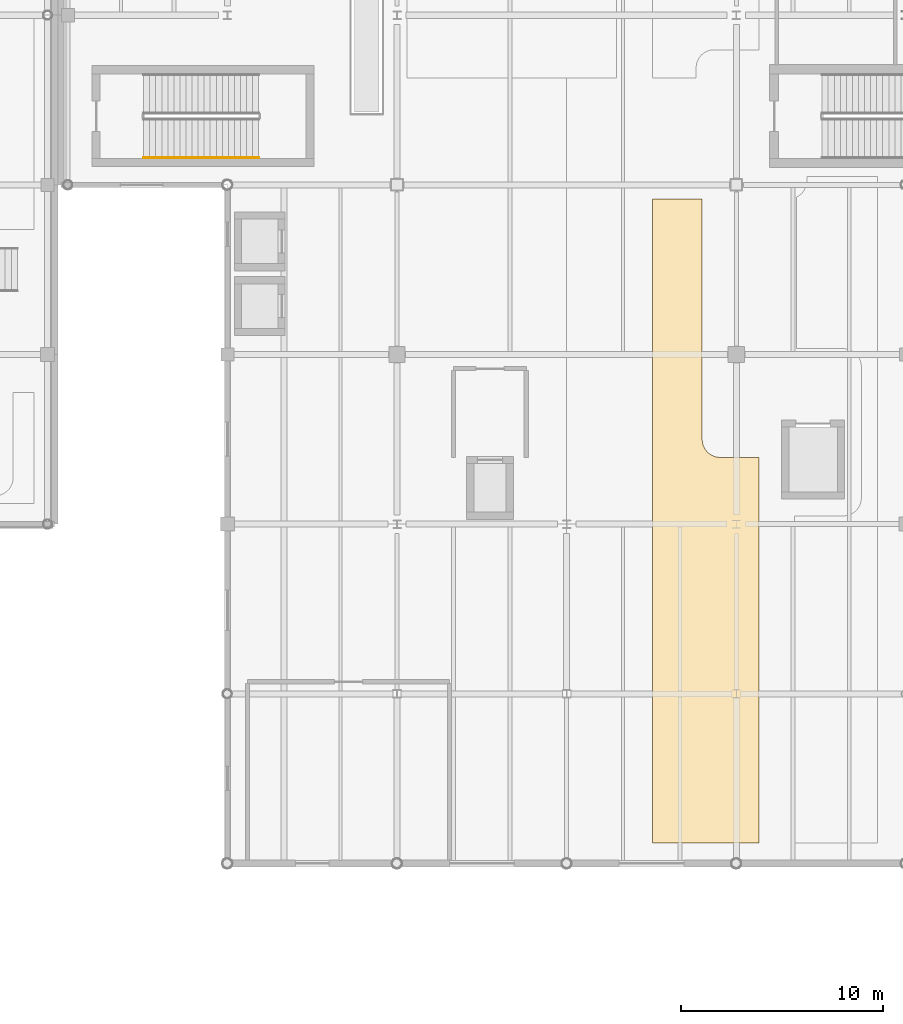
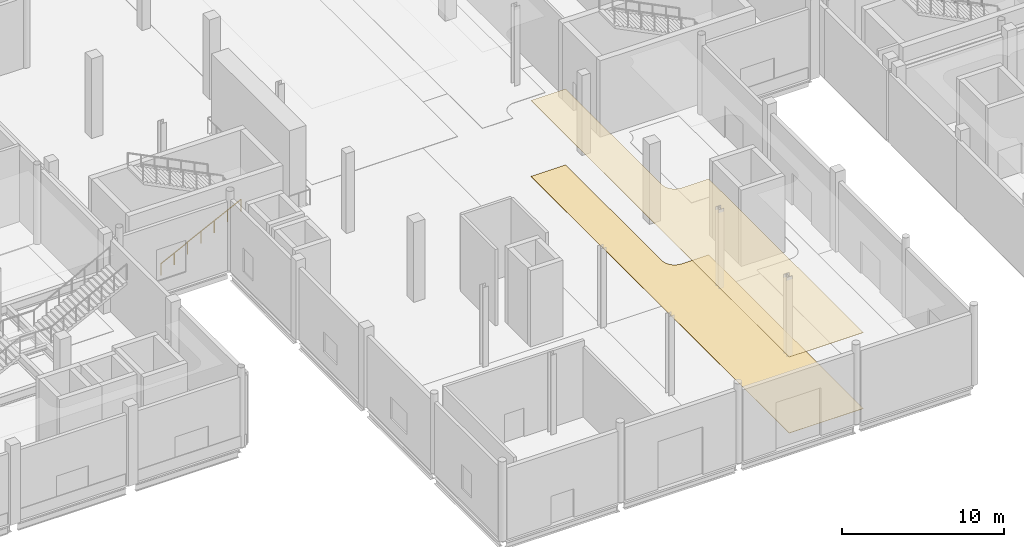
# One storey, part 69 of 85: 2 coverings, 1 railing.
"""IFC4 building model written with IfcOpenShell, lengths in metres."""

import ifcopenshell
import ifcopenshell.guid

model = None  # the IFC model being written
_history = None  # IfcOwnerHistory: only IFC2X3 demands one
_inside = {}  # id of a spatial element -> (the spatial element, [elements in it])
_under = {}  # id of a project, library or spatial element -> (it, [spatial elements below it])
_declared = {}  # id of a project -> (the project, [libraries it declares])
_typed = {}  # id of a type object -> (the type object, [elements of that type])
_made_of = {}  # id of a material, layer set ... -> (it, [elements and type objects made of it])


def new_model(schema):
    """Start an empty IFC model of exactly this schema.

    Asked for "IFC4X3", IfcOpenShell would pick the latest addendum, in which some entities
    have other attributes; the version numbers below select the first issue.
    IFC2X3 requires an IfcOwnerHistory on every rooted entity: one is made here for all.
    """
    global model, _history
    if schema == "IFC4X3":
        model = ifcopenshell.file(schema_version=(4, 3, 0, 0))
    else:
        model = ifcopenshell.file(schema=schema)
    _inside.clear()
    _under.clear()
    _declared.clear()
    _typed.clear()
    _made_of.clear()
    _history = None
    if model.schema == "IFC2X3":
        org = make("IfcOrganization", Name="unknown")
        user = make(
            "IfcPersonAndOrganization",
            ThePerson=make("IfcPerson", FamilyName="unknown"),
            TheOrganization=org,
        )
        app = make(
            "IfcApplication",
            ApplicationDeveloper=org,
            Version="unknown",
            ApplicationFullName="unknown",
            ApplicationIdentifier="unknown",
        )
        _history = make(
            "IfcOwnerHistory",
            OwningUser=user,
            OwningApplication=app,
            ChangeAction="ADDED",
            CreationDate=0,
        )
    return model


def make(cls, **values):
    """One entity of the class cls with the attributes given. An attribute that is None is left unset."""
    return model.create_entity(
        cls, **{name: value for name, value in values.items() if value is not None}
    )


def rooted(cls, **values):
    """An entity with a GlobalId (a new one), such as an element, a storey or a relation."""
    return make(cls, GlobalId=ifcopenshell.guid.new(), OwnerHistory=_history, **values)


def si_unit(unit_type, name, prefix=None):
    """IfcSIUnit, for example si_unit("LENGTHUNIT", "METRE", prefix="MILLI")."""
    return make("IfcSIUnit", UnitType=unit_type, Prefix=prefix, Name=name)


def assignment(units):
    """IfcUnitAssignment: the units of a project."""
    return None if units is None else make("IfcUnitAssignment", Units=units)


def point(xyz):
    """IfcCartesianPoint."""
    return None if xyz is None else make("IfcCartesianPoint", Coordinates=xyz)


def direction(xyz):
    """IfcDirection."""
    return None if xyz is None else make("IfcDirection", DirectionRatios=xyz)


def frame(location, z_axis=None, x_axis=None):
    """IfcAxis2Placement3D, a coordinate frame: its origin and axes. An axis left out is left unset."""
    return make(
        "IfcAxis2Placement3D",
        Location=point(location),
        Axis=direction(z_axis),
        RefDirection=direction(x_axis),
    )


def frame_2d(location, x_axis=None):
    """IfcAxis2Placement2D, a coordinate frame in the plane: its origin and x axis."""
    return make(
        "IfcAxis2Placement2D", Location=point(location), RefDirection=direction(x_axis)
    )


def origin():
    """The frame at (0, 0, 0) with its axes left unset."""
    return frame((0.0, 0.0, 0.0))


def origin_2d():
    """The frame at (0, 0) in the plane with its x axis left unset."""
    return frame_2d((0.0, 0.0))


def place(relative_to, where):
    """IfcLocalPlacement: puts the frame where relative to a parent placement (None: the world)."""
    return make(
        "IfcLocalPlacement", PlacementRelTo=relative_to, RelativePlacement=where
    )


def context(
    kind, dimensions, precision=None, world=None, true_north=None, identifier=None
):
    """IfcGeometricRepresentationContext, for example the 3D "Model" context."""
    return make(
        "IfcGeometricRepresentationContext",
        ContextIdentifier=identifier,
        ContextType=kind,
        CoordinateSpaceDimension=dimensions,
        Precision=precision,
        WorldCoordinateSystem=world,
        TrueNorth=true_north,
    )


def subcontext(parent, identifier, kind, view, scale=None):
    """IfcGeometricRepresentationSubContext, for example "Body" below "Model"."""
    return make(
        "IfcGeometricRepresentationSubContext",
        ContextIdentifier=identifier,
        ContextType=kind,
        ParentContext=parent,
        TargetScale=scale,
        TargetView=view,
    )


def project(units=None, contexts=None):
    """IfcProject with its units and contexts."""
    return rooted(
        "IfcProject",
        Name="project",
        RepresentationContexts=contexts,
        UnitsInContext=assignment(units),
    )


def spatial(cls, under=None, at=None, **own):
    """A site, building, storey or space (cls), placed at a placement, below another one or the project."""
    s = rooted(cls, ObjectPlacement=at, **own)
    if under is not None:
        _under.setdefault(under.id(), (under, []))[1].append(s)
    return s


def polyline(points):
    """IfcPolyline through the points."""
    return make("IfcPolyline", Points=[point(p) for p in points])


def profile(cls, at=None, kind="AREA", **sizes):
    """A parametric profile (cls). Its sizes go by their IFC names, for example OverallWidth=200.0."""
    return make(cls, ProfileType=kind, Position=at, **sizes)


def circle(**sizes):
    """IfcCircleProfileDef."""
    return profile("IfcCircleProfileDef", **sizes)


def outline(outer, holes=None, kind="AREA"):
    """IfcArbitraryClosedProfileDef: a profile drawn as a closed curve; with holes, ...WithVoids."""
    if holes is None:
        return make("IfcArbitraryClosedProfileDef", ProfileType=kind, OuterCurve=outer)
    return make(
        "IfcArbitraryProfileDefWithVoids",
        ProfileType=kind,
        OuterCurve=outer,
        InnerCurves=holes,
    )


def extrude(swept, where, along, depth):
    """IfcExtrudedAreaSolid: the profile swept, set in the frame where, extruded along a direction by depth."""
    return make(
        "IfcExtrudedAreaSolid",
        SweptArea=swept,
        Position=where,
        ExtrudedDirection=direction(along),
        Depth=depth,
    )


def shape(context_of_items, identifier, shape_type, items):
    """IfcShapeRepresentation: the items that make up one representation, for example the "Body"."""
    return make(
        "IfcShapeRepresentation",
        ContextOfItems=context_of_items,
        RepresentationIdentifier=identifier,
        RepresentationType=shape_type,
        Items=items,
    )


def material(Name=None, Category=None):
    """IfcMaterial."""
    return make("IfcMaterial", Name=Name, Category=Category)


def layer(
    of_material, thickness, ventilated=None, Name=None, Category=None, Priority=None
):
    """IfcMaterialLayer: one layer of a wall or slab, of a material (None: an air gap)."""
    return make(
        "IfcMaterialLayer",
        Material=of_material,
        LayerThickness=thickness,
        IsVentilated=ventilated,
        Name=Name,
        Category=Category,
        Priority=Priority,
    )


def layer_set(layers, Name=None):
    """IfcMaterialLayerSet."""
    return make("IfcMaterialLayerSet", MaterialLayers=layers, LayerSetName=Name)


def made_of(thing, what):
    """Note that an element or type object is made of a material, layer set ...; save() writes the relation."""
    if what is not None:
        _made_of.setdefault(what.id(), (what, []))[1].append(thing)
    return thing


def type_object(cls, material=None, **own):
    """A type object (cls), such as IfcWallType, which elements share."""
    return made_of(rooted(cls, **own), material)


def element(
    cls,
    number,
    at=None,
    inside=None,
    cuts=None,
    type_object=None,
    material=None,
    context=None,
    identifier="Body",
    shape_type=None,
    held_by="IfcProductDefinitionShape",
    body=None,
    shapes=None,
    **own,
):
    """One element of the class cls, such as IfcWall. Its Tag is "e" and its number.

    at: its placement. inside: the storey or other place that contains it. cuts: it is an
    opening in that element (IfcRelVoidsElement). A single representation is given by context,
    identifier, shape_type and body (its items); several are given by shapes. held_by: the class
    of the entity that holds the representations. save() writes the other relations.
    """
    e = rooted(cls, Tag="e%d" % number, ObjectPlacement=at, **own)
    if body is not None:
        shapes = [shape(context, identifier, shape_type, body)]
    if shapes is not None:
        e.Representation = make(held_by, Representations=shapes)
    if inside is not None:
        _inside.setdefault(inside.id(), (inside, []))[1].append(e)
    if cuts is not None:
        rooted(
            "IfcRelVoidsElement", RelatingBuildingElement=cuts, RelatedOpeningElement=e
        )
    if type_object is not None:
        _typed.setdefault(type_object.id(), (type_object, []))[1].append(e)
    return made_of(e, material)


def aggregate(whole, parts):
    """IfcRelAggregates: a whole, such as a stair, and the parts it consists of."""
    return rooted("IfcRelAggregates", RelatingObject=whole, RelatedObjects=parts)


def save(model, path):
    """Write the relations noted so far, then the file.

    IfcRelAggregates (storeys below a building ...), IfcRelContainedInSpatialStructure (elements
    in a storey), IfcRelDefinesByType, IfcRelAssociatesMaterial and IfcRelDeclares: one each for
    every whole, place, type object, material and project.
    """
    for whole, parts in _under.values():
        aggregate(whole, parts)
    for where, things in _inside.values():
        rooted(
            "IfcRelContainedInSpatialStructure",
            RelatedElements=things,
            RelatingStructure=where,
        )
    for kind, things in _typed.values():
        rooted("IfcRelDefinesByType", RelatedObjects=things, RelatingType=kind)
    for what, things in _made_of.values():
        rooted("IfcRelAssociatesMaterial", RelatedObjects=things, RelatingMaterial=what)
    for by, libraries in _declared.values():
        rooted("IfcRelDeclares", RelatingContext=by, RelatedDefinitions=libraries)
    model.write(path)


model = new_model("IFC4")

# Units and contexts
model_context = context("Model", 3, precision=1e-05, world=origin(), true_north=direction((0.0, 1.0)))
body_context = subcontext(model_context, "Body", "Model", "MODEL_VIEW")
ifc_project = project(units=[si_unit("LENGTHUNIT", "METRE"), si_unit("AREAUNIT", "SQUARE_METRE"), si_unit("VOLUMEUNIT", "CUBIC_METRE"), si_unit("PLANEANGLEUNIT", "RADIAN"), si_unit("MASSUNIT", "GRAM", prefix="KILO"), si_unit("THERMODYNAMICTEMPERATUREUNIT", "KELVIN")], contexts=[model_context])

# Site, building, storey
site_placement = place(None, origin())
site = spatial("IfcSite", under=ifc_project, at=site_placement, CompositionType="ELEMENT")
building_placement = place(site_placement, origin())
building = spatial("IfcBuilding", under=site, at=building_placement, Name="Lustrewick Department Store", CompositionType="ELEMENT")
storey_placement = place(building_placement, origin())
storey = spatial("IfcBuildingStorey", under=building, at=storey_placement, Name="L01", CompositionType="ELEMENT", Elevation=0.0)

# Coverings
ifc_material_1 = material(Name="Perforated mineral-fibre acoustic ceiling board", Category="gypsum")
ifc_layer_1 = layer(ifc_material_1, 0.02490234375, Name="Perforated mineral-fibre acoustic ceiling board")
ifc_layer_set_1 = layer_set([ifc_layer_1], Name="Perforated mineral-fibre acoustic ceiling board")
covering_type_1 = type_object("IfcCoveringType", Name="COV-CEIL", PredefinedType="CEILING", material=ifc_layer_set_1)
covering_1_placement = place(storey_placement, frame((0.0, 0.0, 5.719970703125)))
element("IfcCovering", 1, at=covering_1_placement, inside=storey, type_object=covering_type_1, Name="L01 V2 Merchandise Display Alcove 2 Acoustic Ceiling", PredefinedType="CEILING", context=body_context, shape_type="SweptSolid", body=[
    extrude(outline(polyline([(90.7099609375, 58.110107421875), (88.23779296875, 58.110107421875), (88.23779296875, 26.219970703125), (93.522705078125, 26.219970703125), (93.522705078125, 45.31005859375), (91.596923828125, 45.31005859375), (91.51220703125, 45.314208984375), (91.428466796875, 45.32666015625), (91.425048828125, 45.327392578125), (91.407470703125, 45.3310546875), (91.404296875, 45.331787109375), (91.321533203125, 45.3544921875), (91.241455078125, 45.385498046875), (91.236328125, 45.3876953125), (91.16943359375, 45.421142578125), (91.16552734375, 45.42333984375), (91.10400390625, 45.4609375), (91.0458984375, 45.50341796875), (91.04150390625, 45.507080078125), (90.970703125, 45.570556640625), (90.906982421875, 45.641357421875), (90.903564453125, 45.64599609375), (90.86083984375, 45.7041015625), (90.8232421875, 45.765625), (90.821044921875, 45.76953125), (90.787841796875, 45.836181640625), (90.78662109375, 45.8388671875), (90.785400390625, 45.841552734375), (90.75439453125, 45.92138671875), (90.731689453125, 46.00439453125), (90.731201171875, 46.007568359375), (90.727294921875, 46.02490234375), (90.726806640625, 46.0283203125), (90.714111328125, 46.1123046875), (90.7099609375, 46.197021484375), (90.7099609375, 58.110107421875)])), origin(), (0.0, 0.0, 1.0), 0.025146484375),
])
ifc_material_2 = material(Name="Polished terrazzo and porcelain floor finish", Category="masonry")
ifc_layer_2 = layer(ifc_material_2, 0.02001953125, Name="Polished terrazzo and porcelain floor finish")
ifc_layer_set_2 = layer_set([ifc_layer_2], Name="Polished terrazzo and porcelain floor finish")
covering_type_2 = type_object("IfcCoveringType", Name="COV-FLR", PredefinedType="FLOORING", material=ifc_layer_set_2)
covering_2_placement = place(storey_placement, origin())
element("IfcCovering", 2, at=covering_2_placement, inside=storey, type_object=covering_type_2, Name="L01 V2 Merchandise Display Alcove 2 Terrazzo Flooring", PredefinedType="FLOORING", context=body_context, shape_type="SweptSolid", body=[
    extrude(outline(polyline([(90.7099609375, 58.110107421875), (88.23779296875, 58.110107421875), (88.23779296875, 26.219970703125), (93.522705078125, 26.219970703125), (93.522705078125, 45.31005859375), (91.596923828125, 45.31005859375), (91.51220703125, 45.314208984375), (91.428466796875, 45.32666015625), (91.425048828125, 45.327392578125), (91.407470703125, 45.3310546875), (91.404296875, 45.331787109375), (91.321533203125, 45.3544921875), (91.241455078125, 45.385498046875), (91.236328125, 45.3876953125), (91.16943359375, 45.421142578125), (91.16552734375, 45.42333984375), (91.10400390625, 45.4609375), (91.0458984375, 45.50341796875), (91.04150390625, 45.507080078125), (90.970703125, 45.570556640625), (90.906982421875, 45.641357421875), (90.903564453125, 45.64599609375), (90.86083984375, 45.7041015625), (90.8232421875, 45.765625), (90.821044921875, 45.76953125), (90.787841796875, 45.836181640625), (90.78662109375, 45.8388671875), (90.785400390625, 45.841552734375), (90.75439453125, 45.92138671875), (90.731689453125, 46.00439453125), (90.731201171875, 46.007568359375), (90.727294921875, 46.02490234375), (90.726806640625, 46.0283203125), (90.714111328125, 46.1123046875), (90.7099609375, 46.197021484375), (90.7099609375, 58.110107421875)])), origin(), (0.0, 0.0, 1.0), 0.02001953125),
])

# Railing
ifc_material_3 = material(Name="Brushed stainless steel wall handrail", Category="steel")
railing_type = type_object("IfcRailingType", Name="RL-STH", PredefinedType="HANDRAIL", material=ifc_material_3)
railing_placement = place(storey_placement, frame((63.050048828125, 60.14990234375, 0.14990234375)))
element("IfcRailing", 3, at=railing_placement, inside=storey, type_object=railing_type, Name="L01 ST04 Stair Handrail 1", PredefinedType="HANDRAIL", context=body_context, shape_type="SweptSolid", body=[
    extrude(circle(Radius=0.02392578125, at=origin_2d()), frame((0.0, 0.0, 0.8759765625), z_axis=(0.894419528903, 0.0, 0.447228919365), x_axis=(0.0, 1.0, 0.0)), (0.0, 0.0, 1.0), 6.372802734375),
    extrude(circle(Radius=0.02099609375, at=origin_2d()), origin(), (0.0, 0.0, 1.0), 0.851806640625),
    extrude(circle(Radius=0.02099609375, at=origin_2d()), frame((0.949951171875, 0.0, 0.47509765625)), (0.0, 0.0, 1.0), 0.851806640625),
    extrude(circle(Radius=0.02099609375, at=origin_2d()), frame((1.89990234375, 0.0, 0.949951171875)), (0.0, 0.0, 1.0), 0.851806640625),
    extrude(circle(Radius=0.02099609375, at=origin_2d()), frame((2.85009765625, 0.0, 1.425048828125)), (0.0, 0.0, 1.0), 0.851806640625),
    extrude(circle(Radius=0.02099609375, at=origin_2d()), frame((3.800048828125, 0.0, 1.900146484375)), (0.0, 0.0, 1.0), 0.851806640625),
    extrude(circle(Radius=0.02099609375, at=origin_2d()), frame((4.75, 0.0, 2.375)), (0.0, 0.0, 1.0), 0.851806640625),
    extrude(circle(Radius=0.02099609375, at=origin_2d()), frame((5.699951171875, 0.0, 2.85009765625)), (0.0, 0.0, 1.0), 0.851806640625),
])

save(model, "model.ifc")
